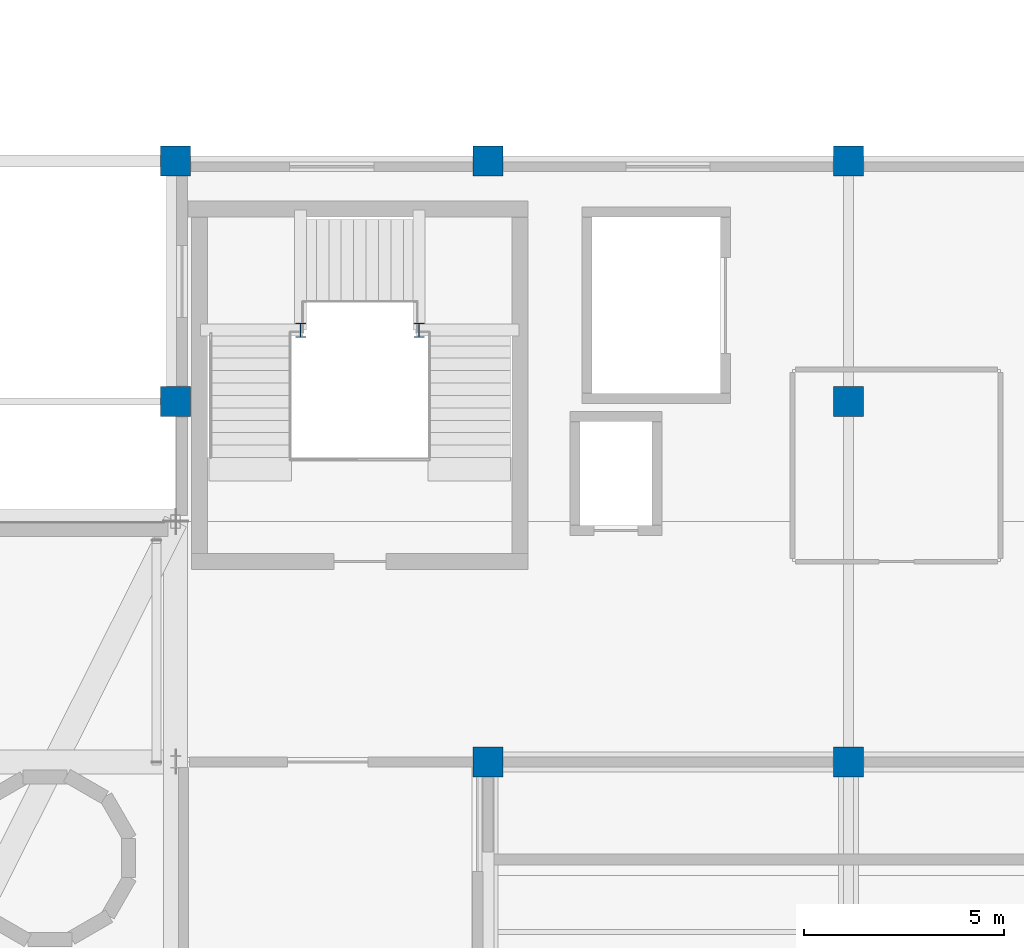
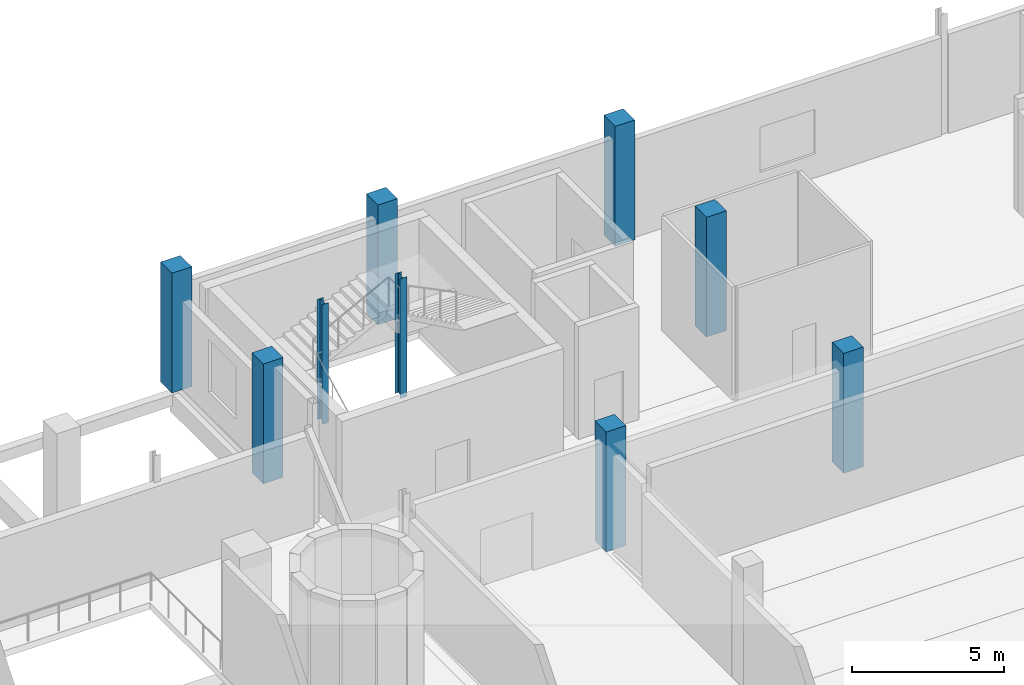
# One storey, part 9 of 100: 9 columns.
"""IFC4 building model written with IfcOpenShell, lengths in metres."""

from ifc_helpers import new_model, si_unit, derived_unit, direction, frame, origin, origin_2d, place, context, subcontext, project, spatial, rectangle, i_section, extrude, material, material_profile, profile_set, type_object, element, save


model = new_model("IFC4")

# Units and contexts
model_context = context("Model", 3, precision=1e-05, world=origin(), true_north=direction((0.0, 1.0)))
body_context = subcontext(model_context, "Body", "Model", "MODEL_VIEW")
ifc_project = project(units=[si_unit("LENGTHUNIT", "METRE"), si_unit("AREAUNIT", "SQUARE_METRE"), si_unit("VOLUMEUNIT", "CUBIC_METRE"), si_unit("PLANEANGLEUNIT", "RADIAN"), si_unit("MASSUNIT", "GRAM", prefix="KILO"), derived_unit("THERMALTRANSMITTANCEUNIT", [(si_unit("POWERUNIT", "WATT"), 1), (si_unit("LENGTHUNIT", "METRE"), -2), (si_unit("THERMODYNAMICTEMPERATUREUNIT", "KELVIN"), -1)])], contexts=[model_context])

# Site, building, storey
site_placement = place(None, origin())
site = spatial("IfcSite", under=ifc_project, at=site_placement, CompositionType="ELEMENT")
building_placement = place(site_placement, origin())
building = spatial("IfcBuilding", under=site, at=building_placement, Name="Nallur Shell Playhouse", CompositionType="ELEMENT")
storey_placement = place(building_placement, frame((0.0, 0.0, 10.199951171875)))
storey = spatial("IfcBuildingStorey", under=building, at=storey_placement, Name="L03", CompositionType="ELEMENT", Elevation=10.199951171875)

# Columns
ifc_material_1 = material(Name="Concrete M40", Category="concrete")
ifc_material_profile_1 = material_profile(ifc_material_1, rectangle(XDim=0.75, YDim=0.75, at=origin_2d()), Name="RC 750x750")
ifc_profile_set_1 = profile_set([ifc_material_profile_1], Name="Concrete M40")
column_type_1 = type_object("IfcColumnType", Name="CL-RC-750", PredefinedType="COLUMN", material=ifc_profile_set_1)
for number, where, z_axis, x_axis, name in (
    (1, (118.60009765625, 50.0, 0.0), (0.0, 0.0, 1.0), (1.0, 0.0, 0.0), "Column 15-F (L03)"),
    (2, (118.60009765625, 56.0, 0.0), (0.0, 0.0, 1.0), (1.0, 0.0, 0.0), "Column 15-G (L03)"),
    (3, (126.39990234375, 41.0, 0.0), (0.0, 0.0, 1.0), (1.0, 0.0, 0.0), "Column 16-E (L03)"),
    (4, (126.39990234375, 56.0, 0.0), (0.0, 0.0, 1.0), (1.0, 0.0, 0.0), "Column 16-G (L03)"),
    (5, (135.39990234375, 41.0, 0.0), (0.0, 0.0, 1.0), (1.0, 0.0, 0.0), "Column 17-E (L03)"),
    (6, (135.39990234375, 50.0, 0.0), (0.0, 0.0, 1.0), (1.0, 0.0, 0.0), "Column 17-F (L03)"),
    (7, (135.39990234375, 56.0, 0.0), (0.0, 0.0, 1.0), (1.0, 0.0, 0.0), "Column 17-G (L03)"),
):
    element("IfcColumn", number, at=place(storey_placement, frame(where, z_axis=z_axis, x_axis=x_axis)), inside=storey, type_object=column_type_1, Name=name, PredefinedType="COLUMN", context=body_context, shape_type="SweptSolid", body=[
        extrude(rectangle(XDim=0.75, YDim=0.75, at=origin_2d()), origin(), (0.0, 0.0, 1.0), 4.800048828125),
    ])
ifc_material_2 = material(Name="Steel E350", Category="steel")
ifc_material_profile_2 = material_profile(ifc_material_2, i_section(OverallWidth=0.25, OverallDepth=0.35009765625, WebThickness=0.010009765625, FlangeThickness=0.01171875, FilletRadius=0.011962890625, at=origin_2d()), Name="ISHB 350")
ifc_profile_set_2 = profile_set([ifc_material_profile_2], Name="Steel E350")
column_type_2 = type_object("IfcColumnType", Name="CL-ST-ISHB350", PredefinedType="COLUMN", material=ifc_profile_set_2)
for number, where, z_axis, x_axis, name in (
    (8, (121.719970703125, 51.780029296875, 0.0), (0.0, 0.0, 1.0), (1.0, 0.0, 0.0), "Column STW-JC-2-W (L03)"),
    (9, (124.679931640625, 51.780029296875, 0.0), (0.0, 0.0, 1.0), (1.0, 0.0, 0.0), "Column STW-JC-2-E (L03)"),
):
    element("IfcColumn", number, at=place(storey_placement, frame(where, z_axis=z_axis, x_axis=x_axis)), inside=storey, type_object=column_type_2, Name=name, PredefinedType="COLUMN", context=body_context, shape_type="SweptSolid", body=[
        extrude(i_section(OverallWidth=0.25, OverallDepth=0.35009765625, WebThickness=0.010009765625, FlangeThickness=0.01171875, FilletRadius=0.011962890625, at=origin_2d()), origin(), (0.0, 0.0, 1.0), 4.800048828125),
    ])

save(model, "model.ifc")
